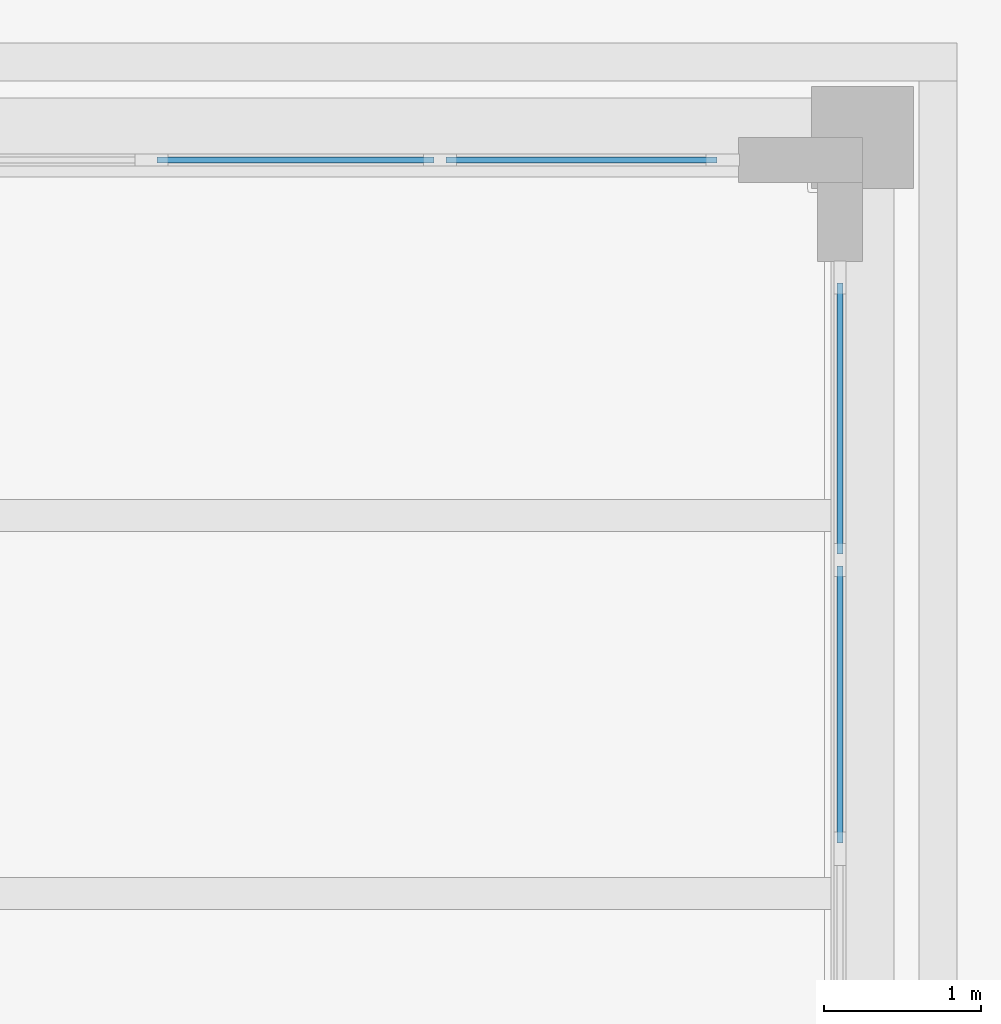
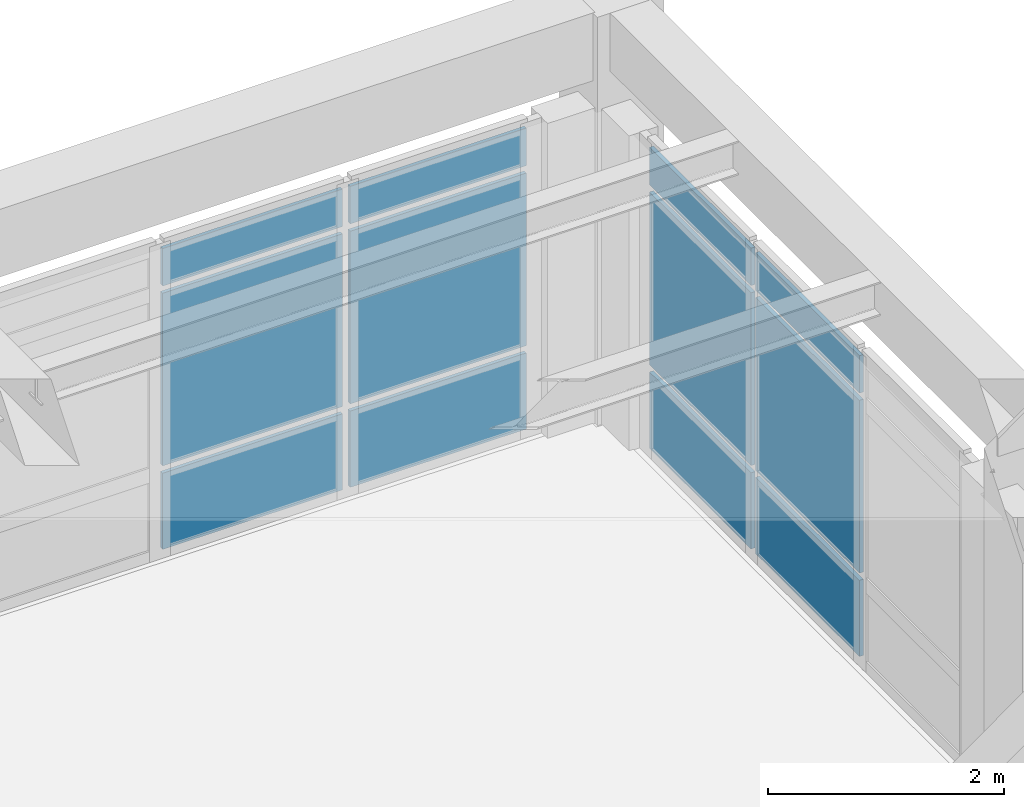
# One storey, part 42 of 55: 12 plates, 2 elements without a shape of their own.
"""IFC4 building model written with IfcOpenShell, lengths in metres."""

from ifc_helpers import new_model, si_unit, direction, frame, origin, origin_2d, place, context, subcontext, project, spatial, rectangle, extrude, material, layer, layer_set, type_object, element, aggregate, save


model = new_model("IFC4")

# Units and contexts
model_context = context("Model", 3, precision=1e-05, world=origin(), true_north=direction((0.0, 1.0)))
body_context = subcontext(model_context, "Body", "Model", "MODEL_VIEW")
ifc_project = project(units=[si_unit("LENGTHUNIT", "METRE"), si_unit("AREAUNIT", "SQUARE_METRE"), si_unit("VOLUMEUNIT", "CUBIC_METRE"), si_unit("PLANEANGLEUNIT", "RADIAN"), si_unit("MASSUNIT", "GRAM", prefix="KILO")], contexts=[model_context])

# Site, building, storey
site_placement = place(None, origin())
site = spatial("IfcSite", under=ifc_project, at=site_placement, CompositionType="ELEMENT")
building_placement = place(site_placement, origin())
building = spatial("IfcBuilding", under=site, at=building_placement, Name="Solenvale Faculty of Natural Sciences", CompositionType="ELEMENT")
storey_placement = place(building_placement, frame((0.0, 0.0, 22.5)))
storey = spatial("IfcBuildingStorey", under=building, at=storey_placement, Name="L05", CompositionType="ELEMENT", Elevation=22.5)

# Curtain wall, plates
ifc_material_1 = material(Name="Anodised bronze aluminium", Category="aluminium")
ifc_layer_1 = layer(ifc_material_1, 0.179931640625)
ifc_layer_set_1 = layer_set([ifc_layer_1], Name="Anodised bronze aluminium")
curtain_wall_type = type_object("IfcCurtainWallType", Name="CW-TWR-MOD", PredefinedType="USERDEFINED", material=ifc_layer_set_1)
curtain_wall_1_placement = place(storey_placement, origin())
curtain_wall_1 = element("IfcCurtainWall", 1, at=curtain_wall_1_placement, inside=storey, type_object=curtain_wall_type, Name="L05 Curtain Wall CW-L05-P2-E3-B1", ObjectType="UNITISED CURTAIN WALL", PredefinedType="USERDEFINED")
ifc_material_2 = material(Name="Triple low-E insulated glass", Category="glass")
ifc_layer_2 = layer(ifc_material_2, 0.035888671875)
ifc_layer_set_2 = layer_set([ifc_layer_2], Name="Triple low-E insulated glass")
plate_type_1 = type_object("IfcPlateType", Name="CWP-PNL-36", PredefinedType="CURTAIN_PANEL", material=ifc_layer_set_2)
plate_1_placement = place(storey_placement, frame((149.41455078125, 115.0576171875, 0.074951171875), z_axis=(0.0, 0.0, 1.0), x_axis=(-1.0, 0.0, 0.0)))
plate_1 = element("IfcPlate", 2, at=plate_1_placement, type_object=plate_type_1, Name="CW-04 panel 1.1", PredefinedType="CURTAIN_PANEL", context=body_context, shape_type="SweptSolid", body=[
    extrude(rectangle(XDim=1.720947265625, YDim=0.035888671875, at=origin_2d()), origin(), (0.0, 0.0, 1.0), 0.78759765625),
])
plate_2_placement = place(storey_placement, frame((149.41455078125, 115.0576171875, 0.9375), z_axis=(0.0, 0.0, 1.0), x_axis=(-1.0, 0.0, 0.0)))
plate_2 = element("IfcPlate", 3, at=plate_2_placement, type_object=plate_type_1, Name="CW-04 panel 1.2", PredefinedType="CURTAIN_PANEL", context=body_context, shape_type="SweptSolid", body=[
    extrude(rectangle(XDim=1.720947265625, YDim=0.035888671875, at=origin_2d()), origin(), (0.0, 0.0, 1.0), 1.784912109375),
])
plate_3_placement = place(storey_placement, frame((149.41455078125, 115.0576171875, 2.79736328125), z_axis=(0.0, 0.0, 1.0), x_axis=(-1.0, 0.0, 0.0)))
plate_3 = element("IfcPlate", 4, at=plate_3_placement, type_object=plate_type_1, Name="CW-04 panel 1.3", PredefinedType="CURTAIN_PANEL", context=body_context, shape_type="SweptSolid", body=[
    extrude(rectangle(XDim=1.720947265625, YDim=0.035888671875, at=origin_2d()), origin(), (0.0, 0.0, 1.0), 0.387451171875),
])
plate_4_placement = place(storey_placement, frame((147.60009765625, 115.0576171875, 0.074951171875), z_axis=(0.0, 0.0, 1.0), x_axis=(-1.0, 0.0, 0.0)))
plate_4 = element("IfcPlate", 5, at=plate_4_placement, type_object=plate_type_1, Name="CW-04 panel 2.1", PredefinedType="CURTAIN_PANEL", context=body_context, shape_type="SweptSolid", body=[
    extrude(rectangle(XDim=1.75830078125, YDim=0.035888671875, at=origin_2d()), origin(), (0.0, 0.0, 1.0), 0.78759765625),
])
plate_5_placement = place(storey_placement, frame((147.60009765625, 115.0576171875, 0.9375), z_axis=(0.0, 0.0, 1.0), x_axis=(-1.0, 0.0, 0.0)))
plate_5 = element("IfcPlate", 6, at=plate_5_placement, type_object=plate_type_1, Name="CW-04 panel 2.2", PredefinedType="CURTAIN_PANEL", context=body_context, shape_type="SweptSolid", body=[
    extrude(rectangle(XDim=1.75830078125, YDim=0.035888671875, at=origin_2d()), origin(), (0.0, 0.0, 1.0), 1.784912109375),
])
plate_6_placement = place(storey_placement, frame((147.60009765625, 115.0576171875, 2.79736328125), z_axis=(0.0, 0.0, 1.0), x_axis=(-1.0, 0.0, 0.0)))
plate_6 = element("IfcPlate", 7, at=plate_6_placement, type_object=plate_type_1, Name="CW-04 panel 2.3", PredefinedType="CURTAIN_PANEL", context=body_context, shape_type="SweptSolid", body=[
    extrude(rectangle(XDim=1.75830078125, YDim=0.035888671875, at=origin_2d()), origin(), (0.0, 0.0, 1.0), 0.387451171875),
])
aggregate(curtain_wall_1, [plate_1, plate_2, plate_3, plate_4, plate_5, plate_6])

curtain_wall_2_placement = place(storey_placement, origin())
curtain_wall_2 = element("IfcCurtainWall", 8, at=curtain_wall_2_placement, inside=storey, type_object=curtain_wall_type, Name="L05 Curtain Wall CW-L05-P2-E2-B3", ObjectType="UNITISED CURTAIN WALL", PredefinedType="USERDEFINED")
ifc_layer_3 = layer(ifc_material_2, 0.0400390625)
ifc_layer_set_3 = layer_set([ifc_layer_3], Name="Triple low-E insulated glass")
plate_type_2 = type_object("IfcPlateType", Name="CWP-PNL-40", PredefinedType="CURTAIN_PANEL", material=ifc_layer_set_3)
plate_7_placement = place(storey_placement, frame((151.0576171875, 111.60009765625, 0.074951171875), z_axis=(0.0, 0.0, 1.0), x_axis=(0.0, 1.0, 0.0)))
plate_7 = element("IfcPlate", 9, at=plate_7_placement, type_object=plate_type_2, Name="CW-04 panel 2.1", PredefinedType="CURTAIN_PANEL", context=body_context, shape_type="SweptSolid", body=[
    extrude(rectangle(XDim=1.75830078125, YDim=0.0400390625, at=origin_2d()), origin(), (0.0, 0.0, 1.0), 0.78759765625),
])
plate_8_placement = place(storey_placement, frame((151.0576171875, 111.60009765625, 0.9375), z_axis=(0.0, 0.0, 1.0), x_axis=(0.0, 1.0, 0.0)))
plate_8 = element("IfcPlate", 10, at=plate_8_placement, type_object=plate_type_2, Name="CW-04 panel 2.2", PredefinedType="CURTAIN_PANEL", context=body_context, shape_type="SweptSolid", body=[
    extrude(rectangle(XDim=1.75830078125, YDim=0.0400390625, at=origin_2d()), origin(), (0.0, 0.0, 1.0), 1.784912109375),
])
plate_9_placement = place(storey_placement, frame((151.0576171875, 111.60009765625, 2.79736328125), z_axis=(0.0, 0.0, 1.0), x_axis=(0.0, 1.0, 0.0)))
plate_9 = element("IfcPlate", 11, at=plate_9_placement, type_object=plate_type_2, Name="CW-04 panel 2.3", PredefinedType="CURTAIN_PANEL", context=body_context, shape_type="SweptSolid", body=[
    extrude(rectangle(XDim=1.75830078125, YDim=0.0400390625, at=origin_2d()), origin(), (0.0, 0.0, 1.0), 0.387451171875),
])
plate_10_placement = place(storey_placement, frame((151.0576171875, 113.41455078125, 0.074951171875), z_axis=(0.0, 0.0, 1.0), x_axis=(0.0, 1.0, 0.0)))
plate_10 = element("IfcPlate", 12, at=plate_10_placement, type_object=plate_type_2, Name="CW-04 panel 3.1", PredefinedType="CURTAIN_PANEL", context=body_context, shape_type="SweptSolid", body=[
    extrude(rectangle(XDim=1.720947265625, YDim=0.0400390625, at=origin_2d()), origin(), (0.0, 0.0, 1.0), 0.78759765625),
])
plate_11_placement = place(storey_placement, frame((151.0576171875, 113.41455078125, 0.9375), z_axis=(0.0, 0.0, 1.0), x_axis=(0.0, 1.0, 0.0)))
plate_11 = element("IfcPlate", 13, at=plate_11_placement, type_object=plate_type_2, Name="CW-04 panel 3.2", PredefinedType="CURTAIN_PANEL", context=body_context, shape_type="SweptSolid", body=[
    extrude(rectangle(XDim=1.720947265625, YDim=0.0400390625, at=origin_2d()), origin(), (0.0, 0.0, 1.0), 1.784912109375),
])
plate_12_placement = place(storey_placement, frame((151.0576171875, 113.41455078125, 2.79736328125), z_axis=(0.0, 0.0, 1.0), x_axis=(0.0, 1.0, 0.0)))
plate_12 = element("IfcPlate", 14, at=plate_12_placement, type_object=plate_type_2, Name="CW-04 panel 3.3", PredefinedType="CURTAIN_PANEL", context=body_context, shape_type="SweptSolid", body=[
    extrude(rectangle(XDim=1.720947265625, YDim=0.0400390625, at=origin_2d()), origin(), (0.0, 0.0, 1.0), 0.387451171875),
])
aggregate(curtain_wall_2, [plate_7, plate_8, plate_9, plate_10, plate_11, plate_12])

save(model, "model.ifc")
